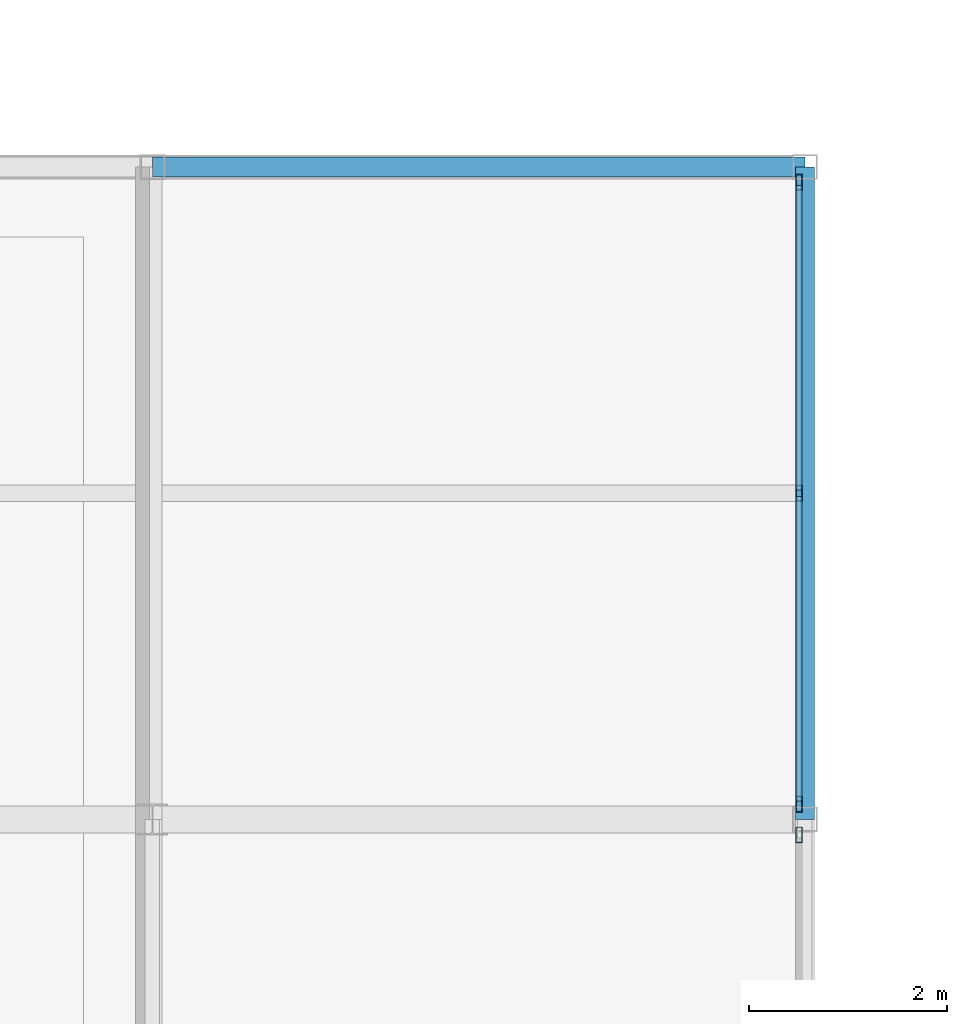
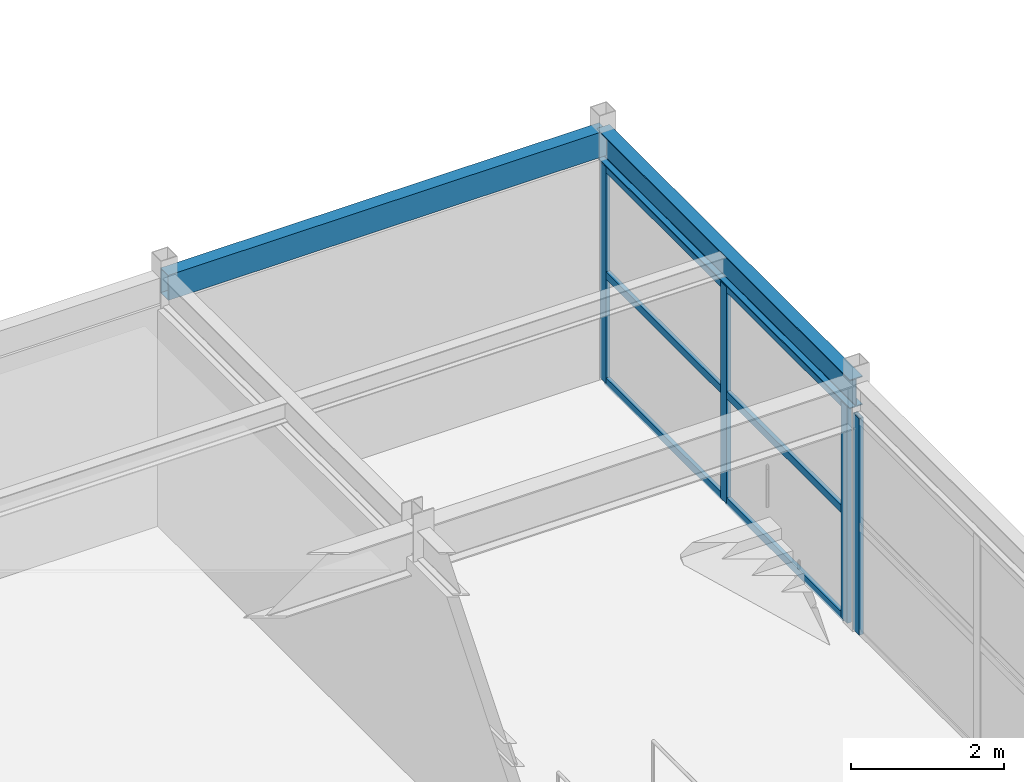
# One storey, part 71 of 147: 10 members, 2 beams, 2 elements without a shape of their own.
"""IFC4 building model written with IfcOpenShell, lengths in metres."""

from ifc_helpers import new_model, si_unit, direction, frame, origin, origin_2d, place, context, subcontext, project, spatial, hollow_rectangle, i_section, extrude, material, material_profile, profile_set, type_object, element, aggregate, save


model = new_model("IFC4")

# Units and contexts
model_context = context("Model", 3, precision=1e-05, world=origin(), true_north=direction((0.0, 1.0)))
body_context = subcontext(model_context, "Body", "Model", "MODEL_VIEW")
ifc_project = project(units=[si_unit("LENGTHUNIT", "METRE"), si_unit("AREAUNIT", "SQUARE_METRE"), si_unit("VOLUMEUNIT", "CUBIC_METRE"), si_unit("PLANEANGLEUNIT", "RADIAN"), si_unit("MASSUNIT", "GRAM", prefix="KILO")], contexts=[model_context])

# Site, building, storey
site_placement = place(None, origin())
site = spatial("IfcSite", under=ifc_project, at=site_placement, CompositionType="ELEMENT")
building_placement = place(site_placement, origin())
building = spatial("IfcBuilding", under=site, at=building_placement, Name="Karori Crest Natural Sciences Institute", CompositionType="ELEMENT")
storey_placement = place(building_placement, frame((0.0, 0.0, 9.10009765625)))
storey = spatial("IfcBuildingStorey", under=building, at=storey_placement, Name="L02", CompositionType="ELEMENT", Elevation=9.10009765625)

# Beams
ifc_material_1 = material(Name="Structural steel AS/NZS 3679.1 Grade 350", Category="steel")
ifc_material_profile_1 = material_profile(ifc_material_1, i_section(OverallWidth=0.19091796875, OverallDepth=0.4599609375, WebThickness=0.010009765625, FlangeThickness=0.01611328125, FilletRadius=0.010986328125, at=origin_2d()), Name="460UB82.1")
ifc_profile_set_1 = profile_set([ifc_material_profile_1], Name="Structural steel AS/NZS 3679.1 Grade 350")
beam_type_1 = type_object("IfcBeamType", Name="BT-06-EL", PredefinedType="BEAM", material=ifc_profile_set_1)
beam_1_placement = place(storey_placement, frame((27.199951171875, 66.800048828125, 3.68994140625), z_axis=(0.0, 1.0, 0.0), x_axis=(-1.0, 0.0, 0.0)))
element("IfcBeam", 1, at=beam_1_placement, inside=storey, type_object=beam_type_1, Name="Beam B-1123", PredefinedType="BEAM", context=body_context, shape_type="SweptSolid", body=[
    extrude(i_section(OverallWidth=0.19091796875, OverallDepth=0.4599609375, WebThickness=0.010009765625, FlangeThickness=0.01611328125, FilletRadius=0.010986328125, at=origin_2d()), origin(), (0.0, 0.0, 1.0), 6.599853515625),
])
ifc_material_2 = material(Name="Hollow structural steel AS/NZS 1163 Grade C350", Category="steel")
ifc_material_profile_2 = material_profile(ifc_material_2, hollow_rectangle(XDim=0.199951171875, YDim=0.39990234375, WallThickness=0.012451171875, at=origin_2d()), Name="RHS400x200x12.5")
ifc_profile_set_2 = profile_set([ifc_material_profile_2], Name="Hollow structural steel AS/NZS 1163 Grade C350")
beam_type_2 = type_object("IfcBeamType", Name="BT-14", PredefinedType="SPANDREL", material=ifc_profile_set_2)
beam_2_placement = place(storey_placement, frame((20.60009765625, 73.39990234375, 3.719970703125), z_axis=(1.0, 0.0, 0.0), x_axis=(0.0, 1.0, 0.0)))
element("IfcBeam", 2, at=beam_2_placement, inside=storey, type_object=beam_type_2, Name="Beam B-1095", PredefinedType="SPANDREL", context=body_context, shape_type="SweptSolid", body=[
    extrude(hollow_rectangle(XDim=0.199951171875, YDim=0.39990234375, WallThickness=0.012451171875, at=origin_2d()), origin(), (0.0, 0.0, 1.0), 6.599853515625),
])

# Curtain wall, member
ifc_material_3 = material(Name="Anodised architectural aluminium 6063-T6", Category="aluminium")
curtain_wall_type = type_object("IfcCurtainWallType", Name="CWT-18", PredefinedType="NOTDEFINED", material=ifc_material_3)
curtain_wall_1_placement = place(storey_placement, origin())
curtain_wall_1 = element("IfcCurtainWall", 3, at=curtain_wall_1_placement, inside=storey, type_object=curtain_wall_type, Name="Curtain wall CW-0276", PredefinedType="NOTDEFINED")
ifc_material_profile_3 = material_profile(ifc_material_3, hollow_rectangle(XDim=0.06494140625, YDim=0.159912109375, WallThickness=0.00390625, at=origin_2d()), Name="CWM160x65x4")
ifc_profile_set_3 = profile_set([ifc_material_profile_3], Name="Anodised architectural aluminium 6063-T6")
member_type_1 = type_object("IfcMemberType", Name="CWM-01", PredefinedType="MULLION", material=ifc_profile_set_3)
member_1_placement = place(storey_placement, frame((27.139892578125, 66.64453125, 0.0), z_axis=(0.0, 0.0, 1.0), x_axis=(1.0, 0.0, 0.0)))
member_1 = element("IfcMember", 4, at=member_1_placement, type_object=member_type_1, Name="CW-0276 mullion 1", PredefinedType="MULLION", context=body_context, shape_type="SweptSolid", body=[
    extrude(hollow_rectangle(XDim=0.06494140625, YDim=0.159912109375, WallThickness=0.00390625, at=origin_2d()), origin(), (0.0, 0.0, 1.0), 3.44482421875),
])
aggregate(curtain_wall_1, [member_1])

# Curtain wall, members
curtain_wall_2_placement = place(storey_placement, origin())
curtain_wall_2 = element("IfcCurtainWall", 5, at=curtain_wall_2_placement, inside=storey, type_object=curtain_wall_type, Name="Curtain wall CW-0277", PredefinedType="NOTDEFINED")
member_2_placement = place(storey_placement, frame((27.139892578125, 73.244384765625, 0.0), z_axis=(0.0, 0.0, 1.0), x_axis=(1.0, 0.0, 0.0)))
member_2 = element("IfcMember", 6, at=member_2_placement, type_object=member_type_1, Name="CW-0277 mullion 1", PredefinedType="MULLION", context=body_context, shape_type="SweptSolid", body=[
    extrude(hollow_rectangle(XDim=0.06494140625, YDim=0.159912109375, WallThickness=0.00390625, at=origin_2d()), origin(), (0.0, 0.0, 1.0), 3.44482421875),
])
member_3_placement = place(storey_placement, frame((27.139892578125, 70.10009765625, 0.0), z_axis=(0.0, 0.0, 1.0), x_axis=(1.0, 0.0, 0.0)))
member_3 = element("IfcMember", 7, at=member_3_placement, type_object=member_type_1, Name="CW-0277 mullion 2", PredefinedType="MULLION", context=body_context, shape_type="SweptSolid", body=[
    extrude(hollow_rectangle(XDim=0.06494140625, YDim=0.159912109375, WallThickness=0.00390625, at=origin_2d()), origin(), (0.0, 0.0, 1.0), 3.44482421875),
])
member_4_placement = place(storey_placement, frame((27.139892578125, 66.95556640625, 0.0), z_axis=(0.0, 0.0, 1.0), x_axis=(1.0, 0.0, 0.0)))
member_4 = element("IfcMember", 8, at=member_4_placement, type_object=member_type_1, Name="CW-0277 mullion 3", PredefinedType="MULLION", context=body_context, shape_type="SweptSolid", body=[
    extrude(hollow_rectangle(XDim=0.06494140625, YDim=0.159912109375, WallThickness=0.00390625, at=origin_2d()), origin(), (0.0, 0.0, 1.0), 3.44482421875),
])
ifc_material_profile_4 = material_profile(ifc_material_3, hollow_rectangle(XDim=0.06005859375, YDim=0.1201171875, WallThickness=0.00390625, at=origin_2d()), Name="CWT120x60x4")
ifc_profile_set_4 = profile_set([ifc_material_profile_4], Name="Anodised architectural aluminium 6063-T6")
member_type_2 = type_object("IfcMemberType", Name="CWT-TR1", PredefinedType="USERDEFINED", material=ifc_profile_set_4)
member_5_placement = place(storey_placement, frame((27.139892578125, 73.2119140625, 0.02978515625), z_axis=(0.0, -1.0, 0.0), x_axis=(1.0, 0.0, 0.0)))
member_5 = element("IfcMember", 9, at=member_5_placement, type_object=member_type_2, Name="CW-0277 transom 1.1", ObjectType="TRANSOM", PredefinedType="USERDEFINED", context=body_context, shape_type="SweptSolid", body=[
    extrude(hollow_rectangle(XDim=0.06005859375, YDim=0.1201171875, WallThickness=0.00390625, at=origin_2d()), origin(), (0.0, 0.0, 1.0), 3.079345703125),
])
member_6_placement = place(storey_placement, frame((27.139892578125, 73.2119140625, 1.722412109375), z_axis=(0.0, -1.0, 0.0), x_axis=(1.0, 0.0, 0.0)))
member_6 = element("IfcMember", 10, at=member_6_placement, type_object=member_type_2, Name="CW-0277 transom 1.2", ObjectType="TRANSOM", PredefinedType="USERDEFINED", context=body_context, shape_type="SweptSolid", body=[
    extrude(hollow_rectangle(XDim=0.06005859375, YDim=0.1201171875, WallThickness=0.00390625, at=origin_2d()), origin(), (0.0, 0.0, 1.0), 3.079345703125),
])
member_7_placement = place(storey_placement, frame((27.139892578125, 73.2119140625, 3.414794921875), z_axis=(0.0, -1.0, 0.0), x_axis=(1.0, 0.0, 0.0)))
member_7 = element("IfcMember", 11, at=member_7_placement, type_object=member_type_2, Name="CW-0277 transom 1.3", ObjectType="TRANSOM", PredefinedType="USERDEFINED", context=body_context, shape_type="SweptSolid", body=[
    extrude(hollow_rectangle(XDim=0.06005859375, YDim=0.1201171875, WallThickness=0.00390625, at=origin_2d()), origin(), (0.0, 0.0, 1.0), 3.079345703125),
])
member_8_placement = place(storey_placement, frame((27.139892578125, 70.0673828125, 0.02978515625), z_axis=(0.0, -1.0, 0.0), x_axis=(1.0, 0.0, 0.0)))
member_8 = element("IfcMember", 12, at=member_8_placement, type_object=member_type_2, Name="CW-0277 transom 2.1", ObjectType="TRANSOM", PredefinedType="USERDEFINED", context=body_context, shape_type="SweptSolid", body=[
    extrude(hollow_rectangle(XDim=0.06005859375, YDim=0.1201171875, WallThickness=0.00390625, at=origin_2d()), origin(), (0.0, 0.0, 1.0), 3.079345703125),
])
member_9_placement = place(storey_placement, frame((27.139892578125, 70.0673828125, 1.722412109375), z_axis=(0.0, -1.0, 0.0), x_axis=(1.0, 0.0, 0.0)))
member_9 = element("IfcMember", 13, at=member_9_placement, type_object=member_type_2, Name="CW-0277 transom 2.2", ObjectType="TRANSOM", PredefinedType="USERDEFINED", context=body_context, shape_type="SweptSolid", body=[
    extrude(hollow_rectangle(XDim=0.06005859375, YDim=0.1201171875, WallThickness=0.00390625, at=origin_2d()), origin(), (0.0, 0.0, 1.0), 3.079345703125),
])
member_10_placement = place(storey_placement, frame((27.139892578125, 70.0673828125, 3.414794921875), z_axis=(0.0, -1.0, 0.0), x_axis=(1.0, 0.0, 0.0)))
member_10 = element("IfcMember", 14, at=member_10_placement, type_object=member_type_2, Name="CW-0277 transom 2.3", ObjectType="TRANSOM", PredefinedType="USERDEFINED", context=body_context, shape_type="SweptSolid", body=[
    extrude(hollow_rectangle(XDim=0.06005859375, YDim=0.1201171875, WallThickness=0.00390625, at=origin_2d()), origin(), (0.0, 0.0, 1.0), 3.079345703125),
])
aggregate(curtain_wall_2, [member_2, member_3, member_4, member_5, member_6, member_7, member_8, member_9, member_10])

save(model, "model.ifc")
